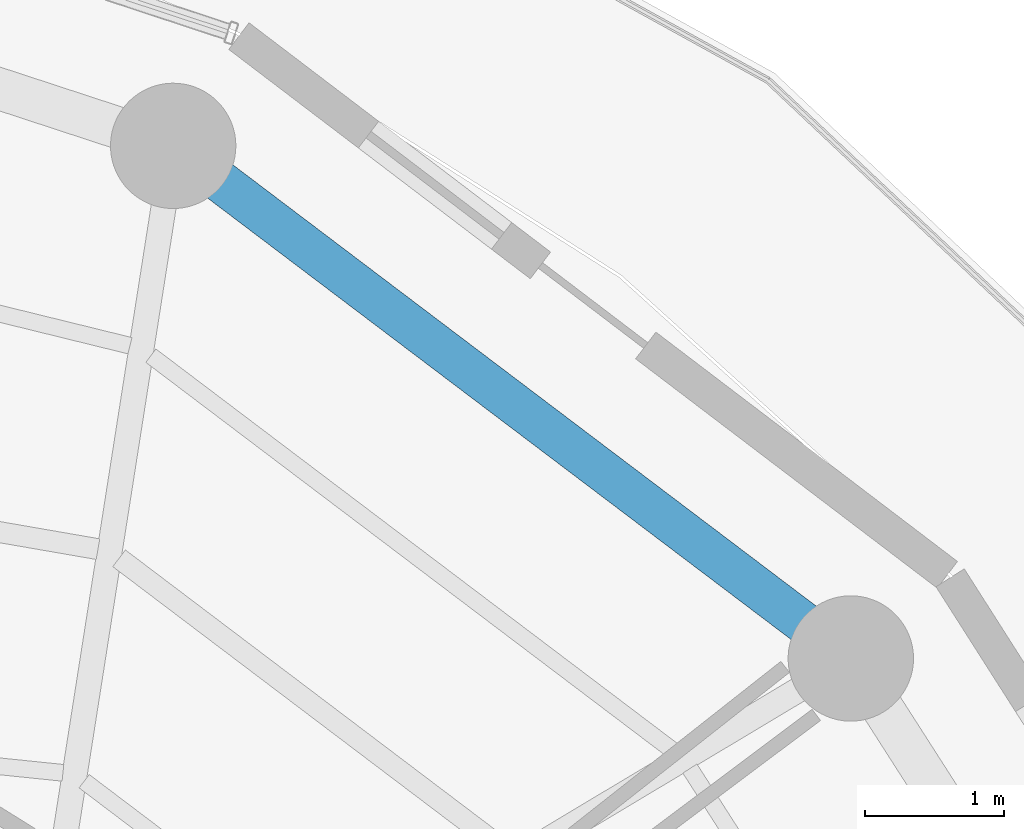
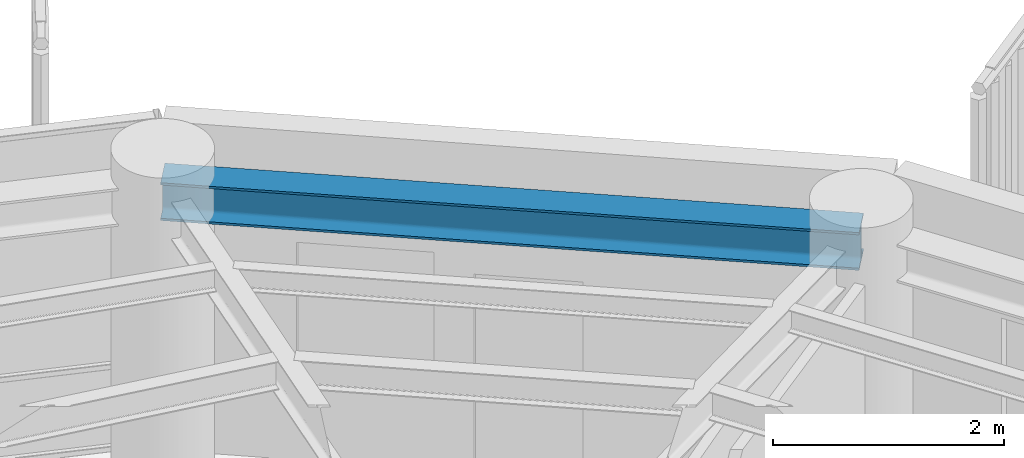
# One storey, part 12 of 23: 1 beam.
"""IFC4 building model written with IfcOpenShell, lengths in metres."""

from ifc_helpers import new_model, si_unit, direction, frame, origin, origin_2d, place, context, subcontext, project, spatial, i_section, extrude, material, material_profile, profile_set, type_object, element, save


model = new_model("IFC4")

# Units and contexts
model_context = context("Model", 3, precision=1e-05, world=origin(), true_north=direction((0.0, 1.0)))
body_context = subcontext(model_context, "Body", "Model", "MODEL_VIEW")
ifc_project = project(units=[si_unit("LENGTHUNIT", "METRE"), si_unit("AREAUNIT", "SQUARE_METRE"), si_unit("VOLUMEUNIT", "CUBIC_METRE"), si_unit("PLANEANGLEUNIT", "RADIAN"), si_unit("MASSUNIT", "GRAM", prefix="KILO")], contexts=[model_context])

# Site, building, storey
site_placement = place(None, origin())
site = spatial("IfcSite", under=ifc_project, at=site_placement, CompositionType="ELEMENT")
building_placement = place(site_placement, origin())
building = spatial("IfcBuilding", under=site, at=building_placement, Name="Kelanora Arch Commons", CompositionType="ELEMENT")
storey_placement = place(building_placement, frame((0.0, 0.0, 282.449951171875)))
storey = spatial("IfcBuildingStorey", under=building, at=storey_placement, Name="L72", CompositionType="ELEMENT", Elevation=282.449951171875)

# Beam
ifc_material = material(Name="Steel S355", Category="steel")
ifc_material_profile = material_profile(ifc_material, i_section(OverallWidth=0.300048828125, OverallDepth=0.39990234375, WebThickness=0.013427734375, FlangeThickness=0.02392578125, FilletRadius=0.027099609375, at=origin_2d()), Name="HEB400")
ifc_profile_set = profile_set([ifc_material_profile], Name="Steel S355")
beam_type = type_object("IfcBeamType", Name="BM-SPN-Z4", PredefinedType="SPANDREL", material=ifc_profile_set)
beam_placement = place(storey_placement, frame((88.00341796875, 68.593017578125, 3.2900390625), z_axis=(-0.797509460967, 0.603306439273, 0.0), x_axis=(-0.603306439273, -0.797509460967, 0.0)))
element("IfcBeam", 1, at=beam_placement, inside=storey, type_object=beam_type, Name="Perimeter Spandrel Beam BS-04 L72", PredefinedType="SPANDREL", context=body_context, shape_type="SweptSolid", body=[
    extrude(i_section(OverallWidth=0.300048828125, OverallDepth=0.39990234375, WebThickness=0.013427734375, FlangeThickness=0.02392578125, FilletRadius=0.027099609375, at=origin_2d()), origin(), (0.0, 0.0, 1.0), 6.098388671875),
])

save(model, "model.ifc")
